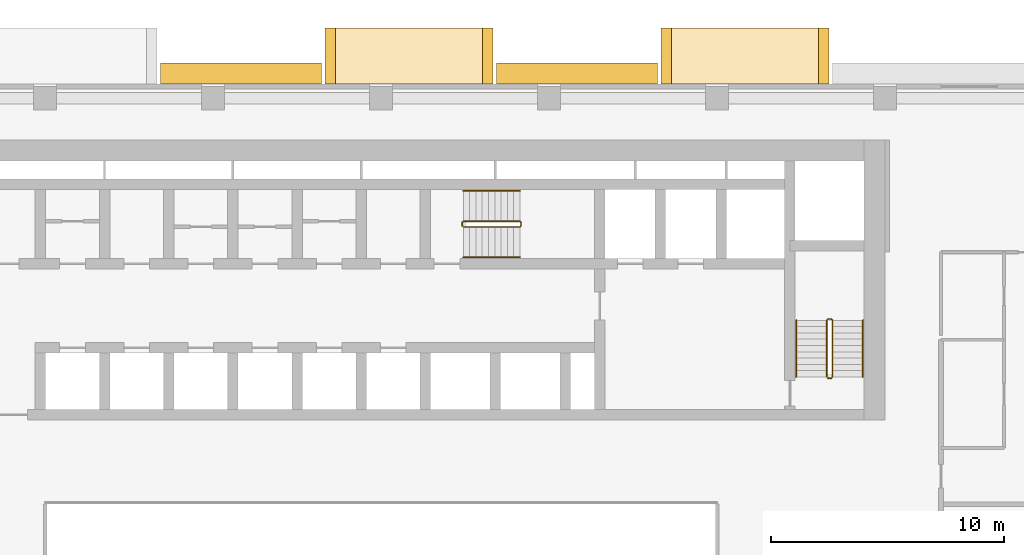
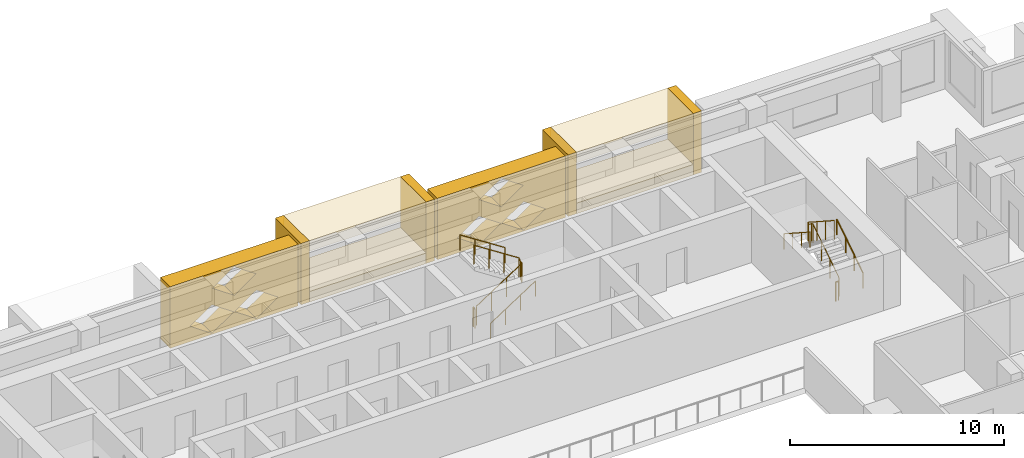
# One storey, part 16 of 17: 10 coverings, 8 railings.
"""IFC4 building model written with IfcOpenShell, lengths in metres."""

from ifc_helpers import new_model, si_unit, direction, frame, origin, origin_2d, place, context, subcontext, project, spatial, polyline, circle, outline, extrude, material, type_object, element, save


model = new_model("IFC4")

# Units and contexts
model_context = context("Model", 3, precision=1e-05, world=origin(), true_north=direction((0.0, 1.0)))
body_context = subcontext(model_context, "Body", "Model", "MODEL_VIEW")
ifc_project = project(units=[si_unit("LENGTHUNIT", "METRE"), si_unit("AREAUNIT", "SQUARE_METRE"), si_unit("VOLUMEUNIT", "CUBIC_METRE"), si_unit("PLANEANGLEUNIT", "RADIAN"), si_unit("MASSUNIT", "GRAM", prefix="KILO")], contexts=[model_context])

# Site, building, storey
site_placement = place(None, origin())
site = spatial("IfcSite", under=ifc_project, at=site_placement, CompositionType="ELEMENT")
building_placement = place(site_placement, origin())
building = spatial("IfcBuilding", under=site, at=building_placement, Name="Saffron Iwan Residences", CompositionType="ELEMENT")
storey_placement = place(building_placement, frame((0.0, 0.0, 79.5)))
storey = spatial("IfcBuildingStorey", under=building, at=storey_placement, Name="L20", CompositionType="ELEMENT", Elevation=79.5)

# Coverings
ifc_material_1 = material(Name="Precast concrete C40/50", Category="concrete")
covering_type_1 = type_object("IfcCoveringType", Name="OUTER SKIN LATTICE SCREEN", PredefinedType="CLADDING", material=ifc_material_1)
for number, where, z_axis, x_axis, name in (
    (1, (62.25, 80.39990234375, -0.320068359375), (0.0, 1.0, 0.0), (-1.0, 0.0, 0.0), "OUTER SKIN lattice screen L20 F5.1"),
    (2, (47.85009765625, 80.39990234375, -0.320068359375), (0.0, 1.0, 0.0), (-1.0, 0.0, 0.0), "OUTER SKIN lattice screen L20 F5.2"),
):
    element("IfcCovering", number, at=place(storey_placement, frame(where, z_axis=z_axis, x_axis=x_axis)), inside=storey, type_object=covering_type_1, Name=name, PredefinedType="CLADDING", context=body_context, shape_type="SweptSolid", body=[
        extrude(outline(polyline([(0.0, 0.0), (6.89990234375, 0.0), (6.89990234375, 3.5), (0.0, 3.5), (0.0, 0.0)]), holes=[polyline([(1.070068359375, 0.875), (2.25, 0.06005859375), (3.429931640625, 0.875), (2.25, 1.68994140625), (1.070068359375, 0.875)]), polyline([(3.469970703125, 0.875), (4.64990234375, 0.06005859375), (5.830078125, 0.875), (4.64990234375, 1.68994140625), (3.469970703125, 0.875)]), polyline([(2.27001953125, 2.625), (3.449951171875, 1.81005859375), (4.6298828125, 2.625), (3.449951171875, 3.43994140625), (2.27001953125, 2.625)])]), origin(), (0.0, 0.0, 1.0), 0.900146484375),
    ])

# Railings
ifc_material_2 = material(Name="Steel S355", Category="steel")
railing_type_1 = type_object("IfcRailingType", Name="Stair guard 1100", PredefinedType="GUARDRAIL", material=ifc_material_2)
railing_1_placement = place(storey_placement, frame((53.925048828125, 74.27490234375, 0.175048828125)))
element("IfcRailing", 3, at=railing_1_placement, inside=storey, type_object=railing_type_1, Name="L20 ST-C stair guard 1", PredefinedType="GUARDRAIL", context=body_context, shape_type="SweptSolid", body=[
    extrude(circle(Radius=0.02392578125, at=origin_2d()), frame((0.0, 0.0, 1.076171875), z_axis=(0.839153699163, 0.0, 0.543894354798), x_axis=(0.0, 1.0, 0.0)), (0.0, 0.0, 1.0), 2.895751953125),
    extrude(circle(Radius=0.02392578125, at=origin_2d()), frame((2.429931640625, 0.0, 2.65087890625), z_axis=(0.707106781187, 0.707106781187, 0.0), x_axis=(-0.707106781187, 0.707106781187, 0.0)), (0.0, 0.0, 1.0), 0.07080078125),
    extrude(circle(Radius=0.02392578125, at=origin_2d()), frame((2.47998046875, 0.050048828125, 2.65087890625), z_axis=(0.0, 1.0, 0.0), x_axis=(-1.0, 0.0, 0.0)), (0.0, 0.0, 1.0), 0.150146484375),
    extrude(circle(Radius=0.02392578125, at=origin_2d()), frame((2.47998046875, 0.2001953125, 2.65087890625), z_axis=(-0.265155923931, 0.263862480399, 0.927399011991), x_axis=(-0.705375805398, -0.708833529934, 0.0)), (0.0, 0.0, 1.0), 0.188720703125),
    extrude(circle(Radius=0.02392578125, at=origin_2d()), frame((2.429931640625, 0.25, 2.826171875), z_axis=(-0.839153699163, 0.0, 0.543894354798), x_axis=(0.0, -1.0, 0.0)), (0.0, 0.0, 1.0), 2.895751953125),
    extrude(circle(Radius=0.02099609375, at=origin_2d()), origin(), (0.0, 0.0, 1.0), 1.052001953125),
    extrude(circle(Radius=0.02099609375, at=origin_2d()), frame((0.81005859375, 0.0, 0.52490234375)), (0.0, 0.0, 1.0), 1.052001953125),
    extrude(circle(Radius=0.02099609375, at=origin_2d()), frame((1.619873046875, 0.0, 1.050048828125)), (0.0, 0.0, 1.0), 1.052001953125),
    extrude(circle(Radius=0.02099609375, at=origin_2d()), frame((2.429931640625, 0.0, 1.574951171875)), (0.0, 0.0, 1.0), 1.052001953125),
    extrude(circle(Radius=0.02099609375, at=origin_2d()), frame((2.47998046875, 0.050048828125, 1.574951171875)), (0.0, 0.0, 1.0), 1.052001953125),
    extrude(circle(Radius=0.02099609375, at=origin_2d()), frame((2.47998046875, 0.2001953125, 1.574951171875)), (0.0, 0.0, 1.0), 1.052001953125),
    extrude(circle(Radius=0.02099609375, at=origin_2d()), frame((2.429931640625, 0.25, 1.75)), (0.0, 0.0, 1.0), 1.052001953125),
    extrude(circle(Radius=0.02099609375, at=origin_2d()), frame((1.619873046875, 0.25, 2.27490234375)), (0.0, 0.0, 1.0), 1.052001953125),
    extrude(circle(Radius=0.02099609375, at=origin_2d()), frame((0.81005859375, 0.25, 2.800048828125)), (0.0, 0.0, 1.0), 1.052001953125),
    extrude(circle(Radius=0.02099609375, at=origin_2d()), frame((0.0, 0.25, 3.324951171875)), (0.0, 0.0, 1.0), 1.052001953125),
])
railing_2_placement = place(storey_placement, frame((53.875, 74.324951171875, 0.0)))
element("IfcRailing", 4, at=railing_2_placement, inside=storey, type_object=railing_type_1, Name="L20 ST-C stair guard 2", PredefinedType="GUARDRAIL", context=body_context, shape_type="SweptSolid", body=[
    extrude(circle(Radius=0.02392578125, at=origin_2d()), frame((0.0, 0.0, 1.076171875), z_axis=(0.0, 1.0, 0.0), x_axis=(-1.0, 0.0, 0.0)), (0.0, 0.0, 1.0), 0.150146484375),
    extrude(circle(Radius=0.02099609375, at=origin_2d()), origin(), (0.0, 0.0, 1.0), 1.052001953125),
    extrude(circle(Radius=0.02099609375, at=origin_2d()), frame((0.0, 0.150146484375, 0.0)), (0.0, 0.0, 1.0), 1.052001953125),
])
railing_3_placement = place(storey_placement, frame((69.75, 67.85009765625, 0.175048828125)))
element("IfcRailing", 5, at=railing_3_placement, inside=storey, type_object=railing_type_1, Name="L20 ST-E stair guard 1", PredefinedType="GUARDRAIL", context=body_context, shape_type="SweptSolid", body=[
    extrude(circle(Radius=0.02392578125, at=origin_2d()), frame((0.0, 0.0, 1.076171875), z_axis=(0.0, 0.839153699163, 0.543894354798), x_axis=(-1.0, 0.0, 0.0)), (0.0, 0.0, 1.0), 2.895751953125),
    extrude(circle(Radius=0.02392578125, at=origin_2d()), frame((0.0, 2.429931640625, 2.65087890625), z_axis=(-0.707106781187, 0.707106781187, 0.0), x_axis=(-0.707106781187, -0.707106781187, 0.0)), (0.0, 0.0, 1.0), 0.07080078125),
    extrude(circle(Radius=0.02392578125, at=origin_2d()), frame((-0.050048828125, 2.47998046875, 2.65087890625), z_axis=(-1.0, 0.0, 0.0), x_axis=(0.0, -1.0, 0.0)), (0.0, 0.0, 1.0), 0.14990234375),
    extrude(circle(Radius=0.02392578125, at=origin_2d()), frame((-0.199951171875, 2.47998046875, 2.65087890625), z_axis=(-0.265065253269, -0.265065253269, 0.927081885822), x_axis=(0.707106781187, -0.707106781187, 0.0)), (0.0, 0.0, 1.0), 0.188720703125),
    extrude(circle(Radius=0.02392578125, at=origin_2d()), frame((-0.25, 2.429931640625, 2.826171875), z_axis=(0.0, -0.839153699163, 0.543894354798), x_axis=(1.0, 0.0, 0.0)), (0.0, 0.0, 1.0), 2.895751953125),
    extrude(circle(Radius=0.02099609375, at=origin_2d()), origin(), (0.0, 0.0, 1.0), 1.052001953125),
    extrude(circle(Radius=0.02099609375, at=origin_2d()), frame((0.0, 0.81005859375, 0.52490234375)), (0.0, 0.0, 1.0), 1.052001953125),
    extrude(circle(Radius=0.02099609375, at=origin_2d()), frame((0.0, 1.619873046875, 1.050048828125)), (0.0, 0.0, 1.0), 1.052001953125),
    extrude(circle(Radius=0.02099609375, at=origin_2d()), frame((0.0, 2.429931640625, 1.574951171875)), (0.0, 0.0, 1.0), 1.052001953125),
    extrude(circle(Radius=0.02099609375, at=origin_2d()), frame((-0.050048828125, 2.47998046875, 1.574951171875)), (0.0, 0.0, 1.0), 1.052001953125),
    extrude(circle(Radius=0.02099609375, at=origin_2d()), frame((-0.199951171875, 2.47998046875, 1.574951171875)), (0.0, 0.0, 1.0), 1.052001953125),
    extrude(circle(Radius=0.02099609375, at=origin_2d()), frame((-0.25, 2.429931640625, 1.75)), (0.0, 0.0, 1.0), 1.052001953125),
    extrude(circle(Radius=0.02099609375, at=origin_2d()), frame((-0.25, 1.619873046875, 2.27490234375)), (0.0, 0.0, 1.0), 1.052001953125),
    extrude(circle(Radius=0.02099609375, at=origin_2d()), frame((-0.25, 0.81005859375, 2.800048828125)), (0.0, 0.0, 1.0), 1.052001953125),
    extrude(circle(Radius=0.02099609375, at=origin_2d()), frame((-0.25, 0.0, 3.324951171875)), (0.0, 0.0, 1.0), 1.052001953125),
])
railing_4_placement = place(storey_placement, frame((69.699951171875, 67.800048828125, 0.0)))
element("IfcRailing", 6, at=railing_4_placement, inside=storey, type_object=railing_type_1, Name="L20 ST-E stair guard 2", PredefinedType="GUARDRAIL", context=body_context, shape_type="SweptSolid", body=[
    extrude(circle(Radius=0.02392578125, at=origin_2d()), frame((0.0, 0.0, 1.076171875), z_axis=(-1.0, 0.0, 0.0), x_axis=(0.0, -1.0, 0.0)), (0.0, 0.0, 1.0), 0.14990234375),
    extrude(circle(Radius=0.02099609375, at=origin_2d()), origin(), (0.0, 0.0, 1.0), 1.052001953125),
    extrude(circle(Radius=0.02099609375, at=origin_2d()), frame((-0.14990234375, 0.0, 0.0)), (0.0, 0.0, 1.0), 1.052001953125),
])
ifc_material_3 = material(Name="Stainless steel 316", Category="steel")
railing_type_2 = type_object("IfcRailingType", Name="Stair handrail 900", PredefinedType="HANDRAIL", material=ifc_material_3)
railing_5_placement = place(storey_placement, frame((53.925048828125, 72.97509765625, 0.175048828125)))
element("IfcRailing", 7, at=railing_5_placement, inside=storey, type_object=railing_type_2, Name="L20 ST-C stair handrail 1", PredefinedType="HANDRAIL", context=body_context, shape_type="SweptSolid", body=[
    extrude(circle(Radius=0.02392578125, at=origin_2d()), frame((0.0, 0.0, 0.8759765625), z_axis=(0.839153699163, 0.0, 0.543894354798), x_axis=(0.0, 1.0, 0.0)), (0.0, 0.0, 1.0), 2.895751953125),
    extrude(circle(Radius=0.02099609375, at=origin_2d()), origin(), (0.0, 0.0, 1.0), 0.851806640625),
    extrude(circle(Radius=0.02099609375, at=origin_2d()), frame((0.81005859375, 0.0, 0.52490234375)), (0.0, 0.0, 1.0), 0.851806640625),
    extrude(circle(Radius=0.02099609375, at=origin_2d()), frame((1.619873046875, 0.0, 1.050048828125)), (0.0, 0.0, 1.0), 0.851806640625),
    extrude(circle(Radius=0.02099609375, at=origin_2d()), frame((2.429931640625, 0.0, 1.574951171875)), (0.0, 0.0, 1.0), 0.851806640625),
])
railing_6_placement = place(storey_placement, frame((56.35498046875, 75.824951171875, 1.925048828125)))
element("IfcRailing", 8, at=railing_6_placement, inside=storey, type_object=railing_type_2, Name="L20 ST-C stair handrail 2", PredefinedType="HANDRAIL", context=body_context, shape_type="SweptSolid", body=[
    extrude(circle(Radius=0.02392578125, at=origin_2d()), frame((0.0, 0.0, 0.8759765625), z_axis=(-0.839153699163, 0.0, 0.543894354798), x_axis=(0.0, -1.0, 0.0)), (0.0, 0.0, 1.0), 2.895751953125),
    extrude(circle(Radius=0.02099609375, at=origin_2d()), origin(), (0.0, 0.0, 1.0), 0.851806640625),
    extrude(circle(Radius=0.02099609375, at=origin_2d()), frame((-0.81005859375, 0.0, 0.52490234375)), (0.0, 0.0, 1.0), 0.851806640625),
    extrude(circle(Radius=0.02099609375, at=origin_2d()), frame((-1.619873046875, 0.0, 1.050048828125)), (0.0, 0.0, 1.0), 0.851806640625),
    extrude(circle(Radius=0.02099609375, at=origin_2d()), frame((-2.429931640625, 0.0, 1.574951171875)), (0.0, 0.0, 1.0), 0.851806640625),
])
railing_7_placement = place(storey_placement, frame((71.050048828125, 67.85009765625, 0.175048828125)))
element("IfcRailing", 9, at=railing_7_placement, inside=storey, type_object=railing_type_2, Name="L20 ST-E stair handrail 1", PredefinedType="HANDRAIL", context=body_context, shape_type="SweptSolid", body=[
    extrude(circle(Radius=0.02392578125, at=origin_2d()), frame((0.0, 0.0, 0.8759765625), z_axis=(0.0, 0.839153699163, 0.543894354798), x_axis=(-1.0, 0.0, 0.0)), (0.0, 0.0, 1.0), 2.895751953125),
    extrude(circle(Radius=0.02099609375, at=origin_2d()), origin(), (0.0, 0.0, 1.0), 0.851806640625),
    extrude(circle(Radius=0.02099609375, at=origin_2d()), frame((0.0, 0.81005859375, 0.52490234375)), (0.0, 0.0, 1.0), 0.851806640625),
    extrude(circle(Radius=0.02099609375, at=origin_2d()), frame((0.0, 1.619873046875, 1.050048828125)), (0.0, 0.0, 1.0), 0.851806640625),
    extrude(circle(Radius=0.02099609375, at=origin_2d()), frame((0.0, 2.429931640625, 1.574951171875)), (0.0, 0.0, 1.0), 0.851806640625),
])
railing_8_placement = place(storey_placement, frame((68.199951171875, 70.280029296875, 1.925048828125)))
element("IfcRailing", 10, at=railing_8_placement, inside=storey, type_object=railing_type_2, Name="L20 ST-E stair handrail 2", PredefinedType="HANDRAIL", context=body_context, shape_type="SweptSolid", body=[
    extrude(circle(Radius=0.02392578125, at=origin_2d()), frame((0.0, 0.0, 0.8759765625), z_axis=(0.0, -0.839153699163, 0.543894354798), x_axis=(1.0, 0.0, 0.0)), (0.0, 0.0, 1.0), 2.895751953125),
    extrude(circle(Radius=0.02099609375, at=origin_2d()), origin(), (0.0, 0.0, 1.0), 0.851806640625),
    extrude(circle(Radius=0.02099609375, at=origin_2d()), frame((0.0, -0.81005859375, 0.52490234375)), (0.0, 0.0, 1.0), 0.851806640625),
    extrude(circle(Radius=0.02099609375, at=origin_2d()), frame((0.0, -1.619873046875, 1.050048828125)), (0.0, 0.0, 1.0), 0.851806640625),
    extrude(circle(Radius=0.02099609375, at=origin_2d()), frame((0.0, -2.429931640625, 1.574951171875)), (0.0, 0.0, 1.0), 0.851806640625),
])

# Coverings
ifc_material_4 = material(Name="Precast concrete C40/50 white painted", Category="concrete")
covering_type_2 = type_object("IfcCoveringType", Name="WHITE SUN FRAME PRECAST", PredefinedType="CLADDING", material=ifc_material_4)
for number, where, z_axis, x_axis, name in (
    (11, (69.60009765625, 80.39990234375, -0.320068359375), (0.0, 1.0, 0.0), (-1.0, 0.0, 0.0), "Sun frame L20 F5 13.2a"),
    (12, (62.85009765625, 80.39990234375, -0.320068359375), (0.0, 1.0, 0.0), (-1.0, 0.0, 0.0), "Sun frame L20 F5 13.2b"),
):
    element("IfcCovering", number, at=place(storey_placement, frame(where, z_axis=z_axis, x_axis=x_axis)), inside=storey, type_object=covering_type_2, Name=name, PredefinedType="CLADDING", context=body_context, shape_type="SweptSolid", body=[
        extrude(outline(polyline([(0.0, 0.0), (0.449951171875, 0.0), (0.449951171875, 3.5), (0.0, 3.5), (0.0, 0.0)])), origin(), (0.0, 0.0, 1.0), 2.400146484375),
    ])
for number, where, z_axis, x_axis, name in (
    (13, (69.14990234375, 80.39990234375, 2.580078125), (0.0, 1.0, 0.0), (-1.0, 0.0, 0.0), "Sun frame L20 F5 13.2h"),
    (14, (69.14990234375, 80.39990234375, -0.320068359375), (0.0, 1.0, 0.0), (-1.0, 0.0, 0.0), "Sun frame L20 F5 13.2s"),
):
    element("IfcCovering", number, at=place(storey_placement, frame(where, z_axis=z_axis, x_axis=x_axis)), inside=storey, type_object=covering_type_2, Name=name, PredefinedType="CLADDING", context=body_context, shape_type="SweptSolid", body=[
        extrude(outline(polyline([(0.0, 0.0), (6.300048828125, 0.0), (6.300048828125, 0.60009765625), (0.0, 0.60009765625), (0.0, 0.0)])), origin(), (0.0, 0.0, 1.0), 2.400146484375),
    ])
for number, where, z_axis, x_axis, name in (
    (15, (55.199951171875, 80.39990234375, -0.320068359375), (0.0, 1.0, 0.0), (-1.0, 0.0, 0.0), "Sun frame L20 F5 27.6a"),
    (16, (48.449951171875, 80.39990234375, -0.320068359375), (0.0, 1.0, 0.0), (-1.0, 0.0, 0.0), "Sun frame L20 F5 27.6b"),
):
    element("IfcCovering", number, at=place(storey_placement, frame(where, z_axis=z_axis, x_axis=x_axis)), inside=storey, type_object=covering_type_2, Name=name, PredefinedType="CLADDING", context=body_context, shape_type="SweptSolid", body=[
        extrude(outline(polyline([(0.0, 0.0), (0.449951171875, 0.0), (0.449951171875, 3.5), (0.0, 3.5), (0.0, 0.0)])), origin(), (0.0, 0.0, 1.0), 2.400146484375),
    ])
for number, where, z_axis, x_axis, name in (
    (17, (54.75, 80.39990234375, 2.580078125), (0.0, 1.0, 0.0), (-1.0, 0.0, 0.0), "Sun frame L20 F5 27.6h"),
    (18, (54.75, 80.39990234375, -0.320068359375), (0.0, 1.0, 0.0), (-1.0, 0.0, 0.0), "Sun frame L20 F5 27.6s"),
):
    element("IfcCovering", number, at=place(storey_placement, frame(where, z_axis=z_axis, x_axis=x_axis)), inside=storey, type_object=covering_type_2, Name=name, PredefinedType="CLADDING", context=body_context, shape_type="SweptSolid", body=[
        extrude(outline(polyline([(0.0, 0.0), (6.300048828125, 0.0), (6.300048828125, 0.60009765625), (0.0, 0.60009765625), (0.0, 0.0)])), origin(), (0.0, 0.0, 1.0), 2.400146484375),
    ])

save(model, "model.ifc")
